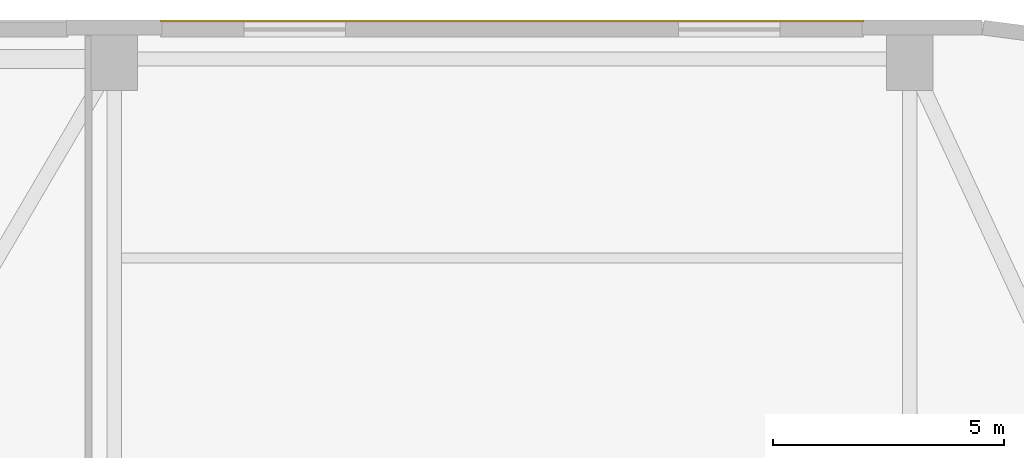
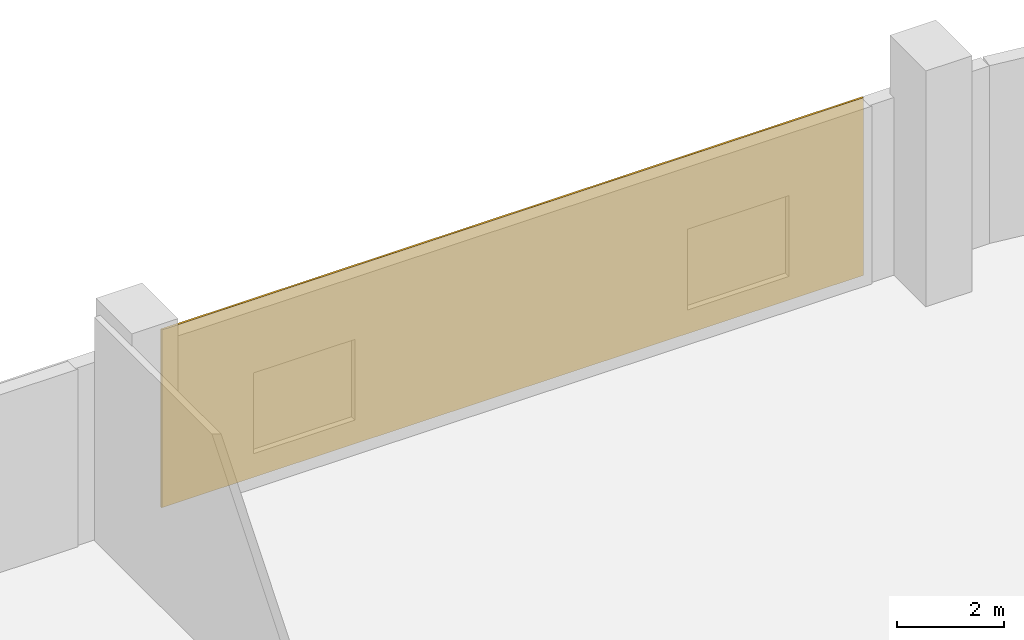
# One storey, part 40 of 40: 1 covering.
"""IFC4 building model written with IfcOpenShell, lengths in metres."""

from ifc_helpers import new_model, si_unit, direction, frame, origin, origin_2d, place, context, subcontext, project, spatial, rectangle, extrude, source, transform, mapped, material, layer, layer_set, type_object, element, save


model = new_model("IFC4")

# Units and contexts
model_context = context("Model", 3, precision=1e-05, world=origin(), true_north=direction((0.0, 1.0)))
body_context = subcontext(model_context, "Body", "Model", "MODEL_VIEW")
ifc_project = project(units=[si_unit("LENGTHUNIT", "METRE"), si_unit("AREAUNIT", "SQUARE_METRE"), si_unit("VOLUMEUNIT", "CUBIC_METRE"), si_unit("PLANEANGLEUNIT", "RADIAN"), si_unit("MASSUNIT", "GRAM", prefix="KILO")], contexts=[model_context])

# Site, building, storey
site_placement = place(None, origin())
site = spatial("IfcSite", under=ifc_project, at=site_placement, CompositionType="ELEMENT")
building_placement = place(site_placement, origin())
building = spatial("IfcBuilding", under=site, at=building_placement, Name="Varnelok Gate Tower", CompositionType="ELEMENT")
storey_placement = place(building_placement, frame((0.0, 0.0, 5.39990234375)))
storey = spatial("IfcBuildingStorey", under=building, at=storey_placement, Name="L01", CompositionType="ELEMENT", Elevation=5.39990234375)

# Covering
ifc_material = material(Name="Glazed Architectural Terracotta Ceramic", Category="masonry")
ifc_layer = layer(ifc_material, 0.044921875)
ifc_layer_set = layer_set([ifc_layer], Name="Glazed Architectural Terracotta Ceramic")
covering_type = type_object("IfcCoveringType", Name="COV-TERRA-CLAD", PredefinedType="CLADDING", material=ifc_layer_set)
shared_shape = source(origin(), body_context, "Body", "SweptSolid", [
    extrude(rectangle(XDim=15.199951171875, YDim=0.044921875, at=origin_2d()), origin(), (0.0, 0.0, 1.0), 4.070068359375),
])
covering_placement = place(storey_placement, frame((62.60009765625, 50.6220703125, 0.0), z_axis=(0.0, 0.0, 1.0), x_axis=(1.0, 0.0, 0.0)))
element("IfcCovering", 1, at=covering_placement, inside=storey, type_object=covering_type, Name="L01 Terracotta Podium Rainscreen Cladding N3", PredefinedType="CLADDING", context=body_context, shape_type="MappedRepresentation", body=[
    mapped(shared_shape, transform((0.0, 0.0, 0.0), scale=1.0)),
])

save(model, "model.ifc")
